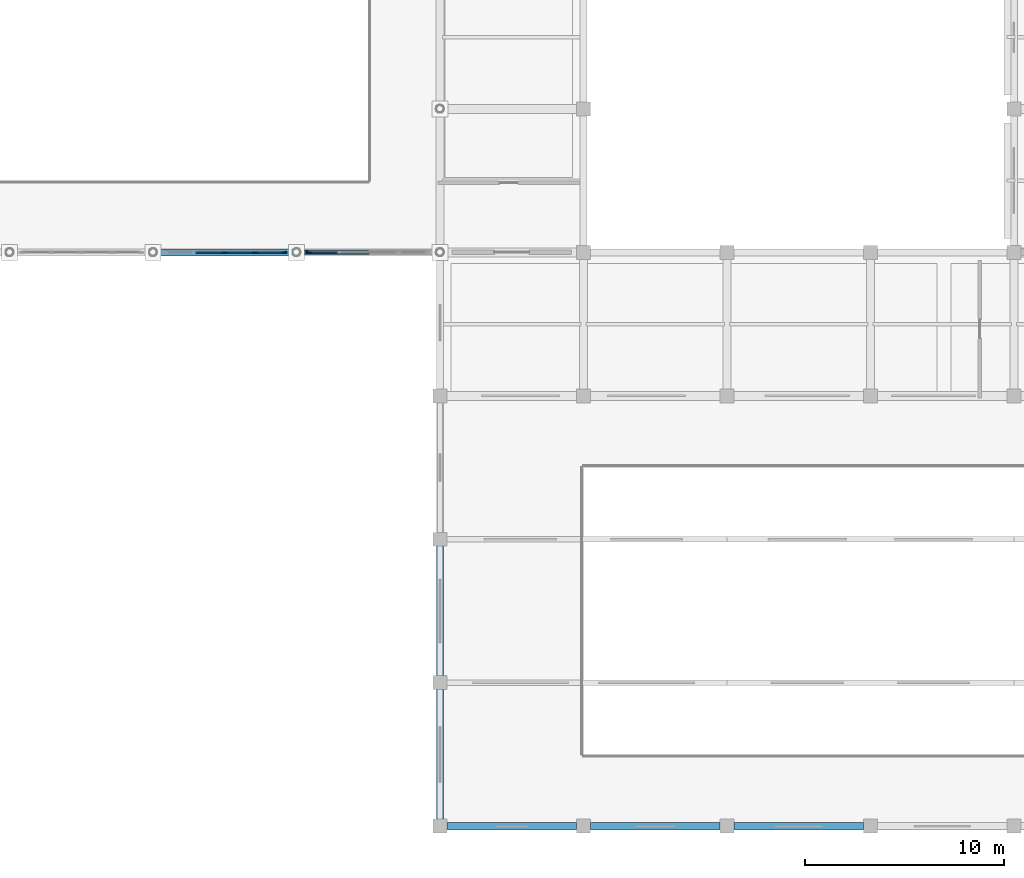
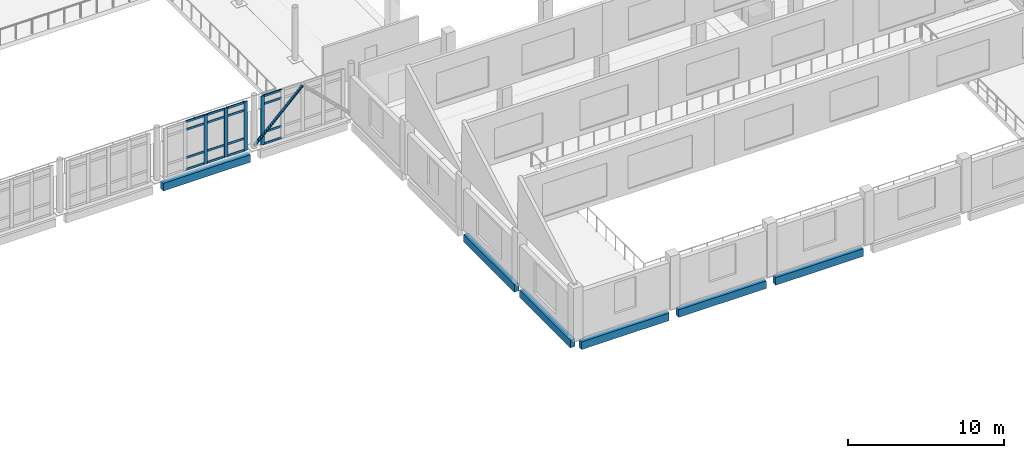
# One storey, part 18 of 62: 21 members, 6 beams, 2 elements without a shape of their own.
"""IFC4 building model written with IfcOpenShell, lengths in metres."""

from ifc_helpers import new_model, si_unit, direction, frame, origin, origin_2d, place, context, subcontext, project, spatial, rectangle, hollow_circle, extrude, material, layer, layer_set, material_profile, profile_set, type_object, element, aggregate, save


model = new_model("IFC4")

# Units and contexts
model_context = context("Model", 3, precision=1e-05, world=origin(), true_north=direction((0.0, 1.0)))
body_context = subcontext(model_context, "Body", "Model", "MODEL_VIEW")
ifc_project = project(units=[si_unit("LENGTHUNIT", "METRE"), si_unit("AREAUNIT", "SQUARE_METRE"), si_unit("VOLUMEUNIT", "CUBIC_METRE"), si_unit("PLANEANGLEUNIT", "RADIAN"), si_unit("MASSUNIT", "GRAM", prefix="KILO")], contexts=[model_context])

# Site, building, storey
site_placement = place(None, origin())
site = spatial("IfcSite", under=ifc_project, at=site_placement, CompositionType="ELEMENT")
building_placement = place(site_placement, origin())
building = spatial("IfcBuilding", under=site, at=building_placement, Name="Valkovuoma Quantum and Materials Research Institute", CompositionType="ELEMENT")
storey_placement = place(building_placement, frame((0.0, 0.0, 8.9599609375)))
storey = spatial("IfcBuildingStorey", under=building, at=storey_placement, Name="L02", CompositionType="ELEMENT", Elevation=8.9599609375)

# Beams
ifc_material_1 = material(Name="Concrete C40/50", Category="concrete")
ifc_material_profile_1 = material_profile(ifc_material_1, rectangle(XDim=0.35009765625, YDim=0.60009765625, at=origin_2d()), Name="Concrete C40/50")
ifc_profile_set_1 = profile_set([ifc_material_profile_1], Name="Concrete C40/50")
beam_type = type_object("IfcBeamType", Name="Beam-B-SPN600", PredefinedType="SPANDREL", material=ifc_profile_set_1)
for number, where, z_axis, x_axis, name in (
    (1, (101.14990234375, 7.199951171875, -0.64990234375), (1.0, 0.0, 0.0), (0.0, 1.0, 0.0), "L02 beam X-0987"),
    (2, (108.35009765625, 7.199951171875, -0.64990234375), (1.0, 0.0, 0.0), (0.0, 1.0, 0.0), "L02 beam X-0988"),
    (3, (115.550048828125, 7.199951171875, -0.64990234375), (1.0, 0.0, 0.0), (0.0, 1.0, 0.0), "L02 beam X-0989"),
):
    element("IfcBeam", number, at=place(storey_placement, frame(where, z_axis=z_axis, x_axis=x_axis)), inside=storey, type_object=beam_type, Name=name, PredefinedType="SPANDREL", context=body_context, shape_type="SweptSolid", body=[
        extrude(rectangle(XDim=0.35009765625, YDim=0.60009765625, at=origin_2d()), origin(), (0.0, 0.0, 1.0), 6.5),
    ])
beam_placement = place(storey_placement, frame((86.77490234375, 36.0, -0.64990234375), z_axis=(1.0, 0.0, 0.0), x_axis=(0.0, 1.0, 0.0)))
element("IfcBeam", 4, at=beam_placement, inside=storey, type_object=beam_type, Name="L02 beam X-1011", PredefinedType="SPANDREL", context=body_context, shape_type="SweptSolid", body=[
    extrude(rectangle(XDim=0.35009765625, YDim=0.60009765625, at=origin_2d()), origin(), (0.0, 0.0, 1.0), 6.4501953125),
])
for number, where, z_axis, x_axis, name in (
    (5, (100.800048828125, 7.550048828125, -0.64990234375), (0.0, 1.0, 0.0), (-1.0, 0.0, 0.0), "L02 beam Y-1217"),
    (6, (100.800048828125, 14.75, -0.64990234375), (0.0, 1.0, 0.0), (-1.0, 0.0, 0.0), "L02 beam Y-1218"),
):
    element("IfcBeam", number, at=place(storey_placement, frame(where, z_axis=z_axis, x_axis=x_axis)), inside=storey, type_object=beam_type, Name=name, PredefinedType="SPANDREL", context=body_context, shape_type="SweptSolid", body=[
        extrude(rectangle(XDim=0.35009765625, YDim=0.60009765625, at=origin_2d()), origin(), (0.0, 0.0, 1.0), 6.5),
    ])

# Curtain wall, members
ifc_material_2 = material(Name="Thermally broken aluminium and triple low-E glazing", Category="aluminium")
ifc_layer = layer(ifc_material_2, 0.219970703125)
ifc_layer_set = layer_set([ifc_layer], Name="Thermally broken aluminium and triple low-E glazing")
curtain_wall_type = type_object("IfcCurtainWallType", Name="CW-CW-02", PredefinedType="NOTDEFINED", material=ifc_layer_set)
curtain_wall_1_placement = place(storey_placement, origin())
curtain_wall_1 = element("IfcCurtainWall", 7, at=curtain_wall_1_placement, inside=storey, type_object=curtain_wall_type, Name="L02 curtain wall 189", PredefinedType="NOTDEFINED")
ifc_material_3 = material(Name="Anodised aluminium 6060-T66", Category="aluminium")
ifc_material_profile_2 = material_profile(ifc_material_3, rectangle(XDim=0.080078125, YDim=0.260009765625, at=origin_2d()), Name="Anodised aluminium 6060-T66")
ifc_profile_set_2 = profile_set([ifc_material_profile_2], Name="Anodised aluminium 6060-T66")
member_type_1 = type_object("IfcMemberType", Name="CWMull-CWM-03", PredefinedType="MULLION", material=ifc_profile_set_2)
member_1_placement = place(storey_placement, frame((90.0, 36.0, 0.0), z_axis=(0.0, 0.0, 1.0), x_axis=(0.0, 1.0, 0.0)))
member_1 = element("IfcMember", 8, at=member_1_placement, type_object=member_type_1, Name="CW-02 mullion 3", PredefinedType="MULLION", context=body_context, shape_type="SweptSolid", body=[
    extrude(rectangle(XDim=0.080078125, YDim=0.260009765625, at=origin_2d()), origin(), (0.0, 0.0, 1.0), 3.81005859375),
])
member_2_placement = place(storey_placement, frame((91.510009765625, 36.0, 0.0), z_axis=(0.0, 0.0, 1.0), x_axis=(0.0, 1.0, 0.0)))
member_2 = element("IfcMember", 9, at=member_2_placement, type_object=member_type_1, Name="CW-02 mullion 4", PredefinedType="MULLION", context=body_context, shape_type="SweptSolid", body=[
    extrude(rectangle(XDim=0.080078125, YDim=0.260009765625, at=origin_2d()), origin(), (0.0, 0.0, 1.0), 3.81005859375),
])
member_3_placement = place(storey_placement, frame((92.97998046875, 36.0, 0.0), z_axis=(0.0, 0.0, 1.0), x_axis=(0.0, 1.0, 0.0)))
member_3 = element("IfcMember", 10, at=member_3_placement, type_object=member_type_1, Name="CW-02 mullion 5", PredefinedType="MULLION", context=body_context, shape_type="SweptSolid", body=[
    extrude(rectangle(XDim=0.080078125, YDim=0.260009765625, at=origin_2d()), origin(), (0.0, 0.0, 1.0), 3.81005859375),
])

# Curtain wall, member
curtain_wall_2_placement = place(storey_placement, origin())
curtain_wall_2 = element("IfcCurtainWall", 11, at=curtain_wall_2_placement, inside=storey, type_object=curtain_wall_type, Name="L02 curtain wall 190", PredefinedType="NOTDEFINED")
member_4_placement = place(storey_placement, frame((94.219970703125, 36.0, 0.0), z_axis=(0.0, 0.0, 1.0), x_axis=(0.0, 1.0, 0.0)))
member_4 = element("IfcMember", 12, at=member_4_placement, type_object=member_type_1, Name="CW-02 mullion 1", PredefinedType="MULLION", context=body_context, shape_type="SweptSolid", body=[
    extrude(rectangle(XDim=0.080078125, YDim=0.260009765625, at=origin_2d()), origin(), (0.0, 0.0, 1.0), 3.81005859375),
])

# Member
ifc_material_4 = material(Name="Anodised aluminium 6060-T66", Category="aluminium")
ifc_material_profile_3 = material_profile(ifc_material_4, rectangle(XDim=0.074951171875, YDim=0.159912109375, at=origin_2d()), Name="Anodised aluminium 6060-T66")
ifc_profile_set_3 = profile_set([ifc_material_profile_3], Name="Anodised aluminium 6060-T66")
member_type_2 = type_object("IfcMemberType", Name="CWTran-CWT-02", PredefinedType="USERDEFINED", material=ifc_profile_set_3)
member_5_placement = place(storey_placement, frame((88.530029296875, 36.0, 0.03759765625), z_axis=(1.0, 0.0, 0.0), x_axis=(0.0, 1.0, 0.0)))
member_5 = element("IfcMember", 13, at=member_5_placement, type_object=member_type_2, Name="CW-02 transom 2.1", ObjectType="TRANSOM", PredefinedType="USERDEFINED", context=body_context, shape_type="SweptSolid", body=[
    extrude(rectangle(XDim=0.074951171875, YDim=0.159912109375, at=origin_2d()), origin(), (0.0, 0.0, 1.0), 1.429931640625),
])

member_6_placement = place(storey_placement, frame((88.530029296875, 36.0, 0.949951171875), z_axis=(1.0, 0.0, 0.0), x_axis=(0.0, 1.0, 0.0)))
member_6 = element("IfcMember", 14, at=member_6_placement, type_object=member_type_2, Name="CW-02 transom 2.2", ObjectType="TRANSOM", PredefinedType="USERDEFINED", context=body_context, shape_type="SweptSolid", body=[
    extrude(rectangle(XDim=0.074951171875, YDim=0.159912109375, at=origin_2d()), origin(), (0.0, 0.0, 1.0), 1.429931640625),
])

member_7_placement = place(storey_placement, frame((88.530029296875, 36.0, 3.16015625), z_axis=(1.0, 0.0, 0.0), x_axis=(0.0, 1.0, 0.0)))
member_7 = element("IfcMember", 15, at=member_7_placement, type_object=member_type_2, Name="CW-02 transom 2.3", ObjectType="TRANSOM", PredefinedType="USERDEFINED", context=body_context, shape_type="SweptSolid", body=[
    extrude(rectangle(XDim=0.074951171875, YDim=0.159912109375, at=origin_2d()), origin(), (0.0, 0.0, 1.0), 1.429931640625),
])

member_8_placement = place(storey_placement, frame((88.530029296875, 36.0, 3.7724609375), z_axis=(1.0, 0.0, 0.0), x_axis=(0.0, 1.0, 0.0)))
member_8 = element("IfcMember", 16, at=member_8_placement, type_object=member_type_2, Name="CW-02 transom 2.4", ObjectType="TRANSOM", PredefinedType="USERDEFINED", context=body_context, shape_type="SweptSolid", body=[
    extrude(rectangle(XDim=0.074951171875, YDim=0.159912109375, at=origin_2d()), origin(), (0.0, 0.0, 1.0), 1.429931640625),
])

member_9_placement = place(storey_placement, frame((90.0400390625, 36.0, 0.03759765625), z_axis=(1.0, 0.0, 0.0), x_axis=(0.0, 1.0, 0.0)))
member_9 = element("IfcMember", 17, at=member_9_placement, type_object=member_type_2, Name="CW-02 transom 3.1", ObjectType="TRANSOM", PredefinedType="USERDEFINED", context=body_context, shape_type="SweptSolid", body=[
    extrude(rectangle(XDim=0.074951171875, YDim=0.159912109375, at=origin_2d()), origin(), (0.0, 0.0, 1.0), 1.429931640625),
])

member_10_placement = place(storey_placement, frame((90.0400390625, 36.0, 0.949951171875), z_axis=(1.0, 0.0, 0.0), x_axis=(0.0, 1.0, 0.0)))
member_10 = element("IfcMember", 18, at=member_10_placement, type_object=member_type_2, Name="CW-02 transom 3.2", ObjectType="TRANSOM", PredefinedType="USERDEFINED", context=body_context, shape_type="SweptSolid", body=[
    extrude(rectangle(XDim=0.074951171875, YDim=0.159912109375, at=origin_2d()), origin(), (0.0, 0.0, 1.0), 1.429931640625),
])

member_11_placement = place(storey_placement, frame((90.0400390625, 36.0, 3.16015625), z_axis=(1.0, 0.0, 0.0), x_axis=(0.0, 1.0, 0.0)))
member_11 = element("IfcMember", 19, at=member_11_placement, type_object=member_type_2, Name="CW-02 transom 3.3", ObjectType="TRANSOM", PredefinedType="USERDEFINED", context=body_context, shape_type="SweptSolid", body=[
    extrude(rectangle(XDim=0.074951171875, YDim=0.159912109375, at=origin_2d()), origin(), (0.0, 0.0, 1.0), 1.429931640625),
])

member_12_placement = place(storey_placement, frame((90.0400390625, 36.0, 3.7724609375), z_axis=(1.0, 0.0, 0.0), x_axis=(0.0, 1.0, 0.0)))
member_12 = element("IfcMember", 20, at=member_12_placement, type_object=member_type_2, Name="CW-02 transom 3.4", ObjectType="TRANSOM", PredefinedType="USERDEFINED", context=body_context, shape_type="SweptSolid", body=[
    extrude(rectangle(XDim=0.074951171875, YDim=0.159912109375, at=origin_2d()), origin(), (0.0, 0.0, 1.0), 1.429931640625),
])

member_13_placement = place(storey_placement, frame((91.550048828125, 36.0, 0.03759765625), z_axis=(1.0, 0.0, 0.0), x_axis=(0.0, 1.0, 0.0)))
member_13 = element("IfcMember", 21, at=member_13_placement, type_object=member_type_2, Name="CW-02 transom 4.1", ObjectType="TRANSOM", PredefinedType="USERDEFINED", context=body_context, shape_type="SweptSolid", body=[
    extrude(rectangle(XDim=0.074951171875, YDim=0.159912109375, at=origin_2d()), origin(), (0.0, 0.0, 1.0), 1.389892578125),
])

member_14_placement = place(storey_placement, frame((91.550048828125, 36.0, 0.949951171875), z_axis=(1.0, 0.0, 0.0), x_axis=(0.0, 1.0, 0.0)))
member_14 = element("IfcMember", 22, at=member_14_placement, type_object=member_type_2, Name="CW-02 transom 4.2", ObjectType="TRANSOM", PredefinedType="USERDEFINED", context=body_context, shape_type="SweptSolid", body=[
    extrude(rectangle(XDim=0.074951171875, YDim=0.159912109375, at=origin_2d()), origin(), (0.0, 0.0, 1.0), 1.389892578125),
])

member_15_placement = place(storey_placement, frame((91.550048828125, 36.0, 3.16015625), z_axis=(1.0, 0.0, 0.0), x_axis=(0.0, 1.0, 0.0)))
member_15 = element("IfcMember", 23, at=member_15_placement, type_object=member_type_2, Name="CW-02 transom 4.3", ObjectType="TRANSOM", PredefinedType="USERDEFINED", context=body_context, shape_type="SweptSolid", body=[
    extrude(rectangle(XDim=0.074951171875, YDim=0.159912109375, at=origin_2d()), origin(), (0.0, 0.0, 1.0), 1.389892578125),
])

member_16_placement = place(storey_placement, frame((91.550048828125, 36.0, 3.7724609375), z_axis=(1.0, 0.0, 0.0), x_axis=(0.0, 1.0, 0.0)))
member_16 = element("IfcMember", 24, at=member_16_placement, type_object=member_type_2, Name="CW-02 transom 4.4", ObjectType="TRANSOM", PredefinedType="USERDEFINED", context=body_context, shape_type="SweptSolid", body=[
    extrude(rectangle(XDim=0.074951171875, YDim=0.159912109375, at=origin_2d()), origin(), (0.0, 0.0, 1.0), 1.389892578125),
])

aggregate(curtain_wall_1, [member_1, member_2, member_3, member_5, member_6, member_7, member_8, member_9, member_10, member_11, member_12, member_13, member_14, member_15, member_16])

member_17_placement = place(storey_placement, frame((94.260009765625, 36.0, 0.03759765625), z_axis=(1.0, 0.0, 0.0), x_axis=(0.0, 1.0, 0.0)))
member_17 = element("IfcMember", 25, at=member_17_placement, type_object=member_type_2, Name="CW-02 transom 1.1", ObjectType="TRANSOM", PredefinedType="USERDEFINED", context=body_context, shape_type="SweptSolid", body=[
    extrude(rectangle(XDim=0.074951171875, YDim=0.159912109375, at=origin_2d()), origin(), (0.0, 0.0, 1.0), 1.389892578125),
])

member_18_placement = place(storey_placement, frame((94.260009765625, 36.0, 0.949951171875), z_axis=(1.0, 0.0, 0.0), x_axis=(0.0, 1.0, 0.0)))
member_18 = element("IfcMember", 26, at=member_18_placement, type_object=member_type_2, Name="CW-02 transom 1.2", ObjectType="TRANSOM", PredefinedType="USERDEFINED", context=body_context, shape_type="SweptSolid", body=[
    extrude(rectangle(XDim=0.074951171875, YDim=0.159912109375, at=origin_2d()), origin(), (0.0, 0.0, 1.0), 1.389892578125),
])

member_19_placement = place(storey_placement, frame((94.260009765625, 36.0, 3.16015625), z_axis=(1.0, 0.0, 0.0), x_axis=(0.0, 1.0, 0.0)))
member_19 = element("IfcMember", 27, at=member_19_placement, type_object=member_type_2, Name="CW-02 transom 1.3", ObjectType="TRANSOM", PredefinedType="USERDEFINED", context=body_context, shape_type="SweptSolid", body=[
    extrude(rectangle(XDim=0.074951171875, YDim=0.159912109375, at=origin_2d()), origin(), (0.0, 0.0, 1.0), 1.389892578125),
])

member_20_placement = place(storey_placement, frame((94.260009765625, 36.0, 3.7724609375), z_axis=(1.0, 0.0, 0.0), x_axis=(0.0, 1.0, 0.0)))
member_20 = element("IfcMember", 28, at=member_20_placement, type_object=member_type_2, Name="CW-02 transom 1.4", ObjectType="TRANSOM", PredefinedType="USERDEFINED", context=body_context, shape_type="SweptSolid", body=[
    extrude(rectangle(XDim=0.074951171875, YDim=0.159912109375, at=origin_2d()), origin(), (0.0, 0.0, 1.0), 1.389892578125),
])

aggregate(curtain_wall_2, [member_4, member_17, member_18, member_19, member_20])

ifc_material_5 = material(Name="Steel S355J2H", Category="steel")
ifc_material_profile_4 = material_profile(ifc_material_5, hollow_circle(Radius=0.109619140625, WallThickness=0.010009765625, at=origin_2d()), Name="Steel S355J2H")
ifc_profile_set_4 = profile_set([ifc_material_profile_4], Name="Steel S355J2H")
member_type_3 = type_object("IfcMemberType", Name="Mem-M-BRC219", PredefinedType="BRACE", material=ifc_profile_set_4)
member_21_placement = place(storey_placement, frame((93.60009765625, 36.0, 0.10009765625), z_axis=(0.715984969996, 0.0, 0.69811569438), x_axis=(0.0, 1.0, 0.0)))
element("IfcMember", 29, at=member_21_placement, inside=storey, type_object=member_type_3, Name="L02 chevron wind brace 07A", PredefinedType="BRACE", context=body_context, shape_type="SweptSolid", body=[
    extrude(hollow_circle(Radius=0.109619140625, WallThickness=0.010009765625, at=origin_2d()), origin(), (0.0, 0.0, 1.0), 5.02783203125),
])

save(model, "model.ifc")
